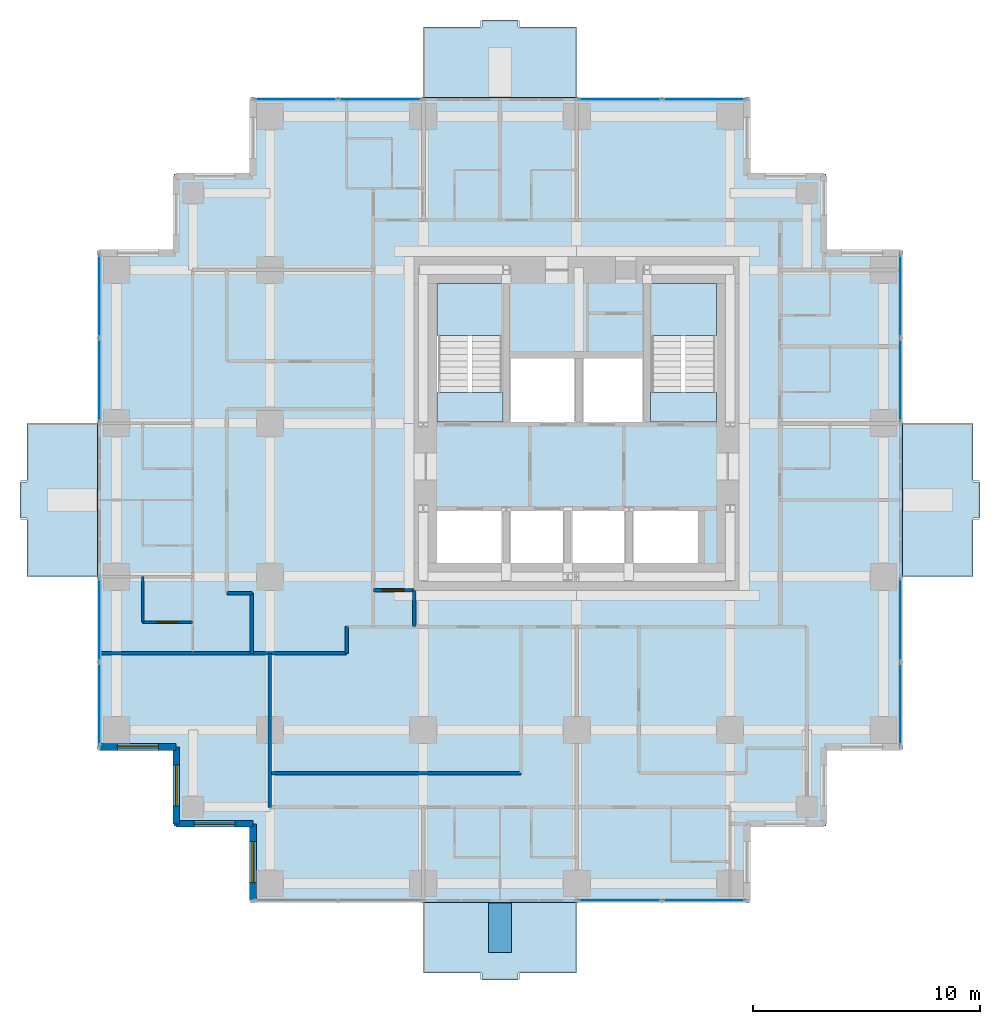
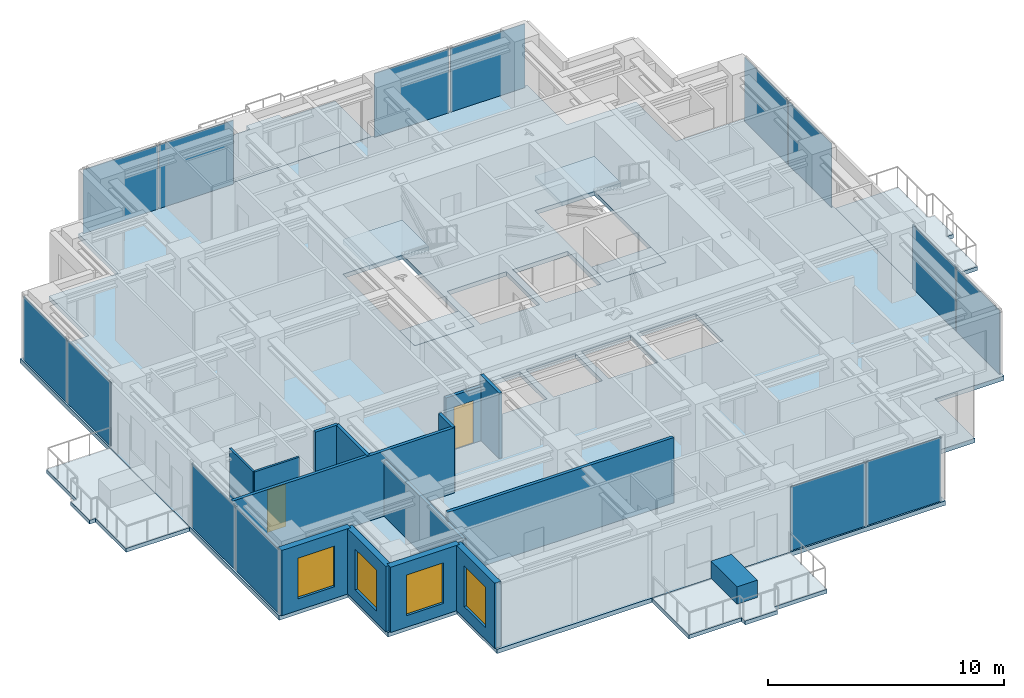
# One storey, part 4 of 10: 15 walls, 14 plates, 9 slabs, 4 windows, 2 doors, 6 openings, 9 elements without a shape of their own.
"""IFC4 building model written with IfcOpenShell, lengths in metres."""

from ifc_helpers import new_model, si_unit, direction, frame, frame_2d, origin, origin_2d, place, context, subcontext, project, spatial, polyline, rectangle, outline, extrude, material, layer, layer_set, type_object, element, fill, aggregate, save


model = new_model("IFC4")

# Units and contexts
model_context = context("Model", 3, precision=1e-05, world=origin(), true_north=direction((0.0, 1.0)))
body_context = subcontext(model_context, "Body", "Model", "MODEL_VIEW")
ifc_project = project(units=[si_unit("LENGTHUNIT", "METRE"), si_unit("AREAUNIT", "SQUARE_METRE"), si_unit("VOLUMEUNIT", "CUBIC_METRE"), si_unit("PLANEANGLEUNIT", "RADIAN"), si_unit("MASSUNIT", "GRAM", prefix="KILO")], contexts=[model_context])

# Site, building, storey
site_placement = place(None, origin())
site = spatial("IfcSite", under=ifc_project, at=site_placement, CompositionType="ELEMENT")
building_placement = place(site_placement, origin())
building = spatial("IfcBuilding", under=site, at=building_placement, Name="Nyansa Garden Tower", CompositionType="ELEMENT")
storey_placement = place(building_placement, frame((0.0, 0.0, 192.60009765625)))
storey = spatial("IfcBuildingStorey", under=building, at=storey_placement, Name="L52", CompositionType="ELEMENT", Elevation=192.60009765625)

# Slabs
ifc_material_1 = material(Name="Concrete C40/50", Category="concrete")
ifc_layer_1 = layer(ifc_material_1, 0.199951171875)
ifc_layer_set_1 = layer_set([ifc_layer_1], Name="Balcony slab BS200")
slab_type_1 = type_object("IfcSlabType", Name="Balcony slab BS200", PredefinedType="FLOOR", material=ifc_layer_set_1)
slab_1_placement = place(storey_placement, frame((0.0, 0.0, -0.239990234375)))
element("IfcSlab", 1, at=slab_1_placement, inside=storey, type_object=slab_type_1, Name="Balcony L52 S", PredefinedType="FLOOR", context=body_context, shape_type="SweptSolid", body=[
    extrude(outline(polyline([(13.5, -0.85009765625), (20.25, -0.85009765625), (20.25, -3.949951171875), (17.675048828125, -3.949951171875), (17.675048828125, -4.25), (16.074951171875, -4.25), (16.074951171875, -3.949951171875), (13.5, -3.949951171875), (13.5, -0.85009765625)])), origin(), (0.0, 0.0, 1.0), 0.199951171875),
])
slab_2_placement = place(storey_placement, frame((0.0, 0.0, -0.239990234375)))
element("IfcSlab", 2, at=slab_2_placement, inside=storey, type_object=slab_type_1, Name="Balcony L52 E", PredefinedType="FLOOR", context=body_context, shape_type="SweptSolid", body=[
    extrude(outline(polyline([(34.60009765625, 13.5), (34.60009765625, 20.25), (37.699951171875, 20.25), (37.699951171875, 17.675048828125), (38.0, 17.675048828125), (38.0, 16.074951171875), (37.699951171875, 16.074951171875), (37.699951171875, 13.5), (34.60009765625, 13.5)])), origin(), (0.0, 0.0, 1.0), 0.199951171875),
])
slab_3_placement = place(storey_placement, frame((0.0, 0.0, -0.239990234375)))
element("IfcSlab", 3, at=slab_3_placement, inside=storey, type_object=slab_type_1, Name="Balcony L52 N", PredefinedType="FLOOR", context=body_context, shape_type="SweptSolid", body=[
    extrude(outline(polyline([(13.5, 34.60009765625), (20.25, 34.60009765625), (20.25, 37.699951171875), (17.675048828125, 37.699951171875), (17.675048828125, 38.0), (16.074951171875, 38.0), (16.074951171875, 37.699951171875), (13.5, 37.699951171875), (13.5, 34.60009765625)])), origin(), (0.0, 0.0, 1.0), 0.199951171875),
])
slab_4_placement = place(storey_placement, frame((0.0, 0.0, -0.239990234375)))
element("IfcSlab", 4, at=slab_4_placement, inside=storey, type_object=slab_type_1, Name="Balcony L52 W", PredefinedType="FLOOR", context=body_context, shape_type="SweptSolid", body=[
    extrude(outline(polyline([(-0.85009765625, 13.5), (-0.85009765625, 20.25), (-3.949951171875, 20.25), (-3.949951171875, 17.675048828125), (-4.25, 17.675048828125), (-4.25, 16.074951171875), (-3.949951171875, 16.074951171875), (-3.949951171875, 13.5), (-0.85009765625, 13.5)])), origin(), (0.0, 0.0, 1.0), 0.199951171875),
])

# Curtain wall, plates
ifc_material_2 = material(Name="Black anodised aluminium, dark tinted double glazing", Category="aluminium")
curtain_wall_type = type_object("IfcCurtainWallType", Name="Inner skin curtain wall ISW-C", PredefinedType="USERDEFINED", material=ifc_material_2)
curtain_wall_1_placement = place(storey_placement, origin())
curtain_wall_1 = element("IfcCurtainWall", 5, at=curtain_wall_1_placement, inside=storey, type_object=curtain_wall_type, Name="Inner skin curtain wall L52 E", ObjectType="UNITISED CURTAIN WALL", PredefinedType="USERDEFINED")
ifc_material_3 = material(Name="Dark tinted laminated double glazing", Category="glass")
ifc_layer_2 = layer(ifc_material_3, 0.0400390625)
ifc_layer_set_2 = layer_set([ifc_layer_2], Name="Dark tinted vision panel VP-C")
plate_type = type_object("IfcPlateType", Name="Dark tinted vision panel VP-C", PredefinedType="CURTAIN_PANEL", material=ifc_layer_set_2)
plate_1_placement = place(storey_placement, frame((34.5, 7.892578125, 0.0), z_axis=(0.0, 0.0, 1.0), x_axis=(0.0, 1.0, 0.0)))
plate_1 = element("IfcPlate", 6, at=plate_1_placement, type_object=plate_type, Name="ISW-C panel 1", PredefinedType="CURTAIN_PANEL", context=body_context, shape_type="SweptSolid", body=[
    extrude(rectangle(XDim=3.64501953125, YDim=0.0400390625, at=origin_2d()), origin(), (0.0, 0.0, 1.0), 3.304931640625),
])
plate_2_placement = place(storey_placement, frame((34.5, 11.607421875, 0.0), z_axis=(0.0, 0.0, 1.0), x_axis=(0.0, 1.0, 0.0)))
plate_2 = element("IfcPlate", 7, at=plate_2_placement, type_object=plate_type, Name="ISW-C panel 2", PredefinedType="CURTAIN_PANEL", context=body_context, shape_type="SweptSolid", body=[
    extrude(rectangle(XDim=3.64501953125, YDim=0.0400390625, at=origin_2d()), origin(), (0.0, 0.0, 1.0), 3.304931640625),
])
aggregate(curtain_wall_1, [plate_1, plate_2])

curtain_wall_2_placement = place(storey_placement, origin())
curtain_wall_2 = element("IfcCurtainWall", 8, at=curtain_wall_2_placement, inside=storey, type_object=curtain_wall_type, Name="Inner skin curtain wall L52 E", ObjectType="UNITISED CURTAIN WALL", PredefinedType="USERDEFINED")
plate_3_placement = place(storey_placement, frame((34.5, 22.142578125, 0.0), z_axis=(0.0, 0.0, 1.0), x_axis=(0.0, 1.0, 0.0)))
plate_3 = element("IfcPlate", 9, at=plate_3_placement, type_object=plate_type, Name="ISW-C panel 1", PredefinedType="CURTAIN_PANEL", context=body_context, shape_type="SweptSolid", body=[
    extrude(rectangle(XDim=3.64501953125, YDim=0.0400390625, at=origin_2d()), origin(), (0.0, 0.0, 1.0), 3.304931640625),
])
plate_4_placement = place(storey_placement, frame((34.5, 25.857421875, 0.0), z_axis=(0.0, 0.0, 1.0), x_axis=(0.0, 1.0, 0.0)))
plate_4 = element("IfcPlate", 10, at=plate_4_placement, type_object=plate_type, Name="ISW-C panel 2", PredefinedType="CURTAIN_PANEL", context=body_context, shape_type="SweptSolid", body=[
    extrude(rectangle(XDim=3.64501953125, YDim=0.0400390625, at=origin_2d()), origin(), (0.0, 0.0, 1.0), 3.304931640625),
])
aggregate(curtain_wall_2, [plate_3, plate_4])

curtain_wall_3_placement = place(storey_placement, origin())
curtain_wall_3 = element("IfcCurtainWall", 11, at=curtain_wall_3_placement, inside=storey, type_object=curtain_wall_type, Name="Inner skin curtain wall L52 N", ObjectType="UNITISED CURTAIN WALL", PredefinedType="USERDEFINED")
plate_5_placement = place(storey_placement, frame((11.607421875, 34.5, 0.0), z_axis=(0.0, 0.0, 1.0), x_axis=(-1.0, 0.0, 0.0)))
plate_5 = element("IfcPlate", 12, at=plate_5_placement, type_object=plate_type, Name="ISW-C panel 1", PredefinedType="CURTAIN_PANEL", context=body_context, shape_type="SweptSolid", body=[
    extrude(rectangle(XDim=3.64501953125, YDim=0.0400390625, at=origin_2d()), origin(), (0.0, 0.0, 1.0), 3.304931640625),
])
plate_6_placement = place(storey_placement, frame((7.892578125, 34.5, 0.0), z_axis=(0.0, 0.0, 1.0), x_axis=(-1.0, 0.0, 0.0)))
plate_6 = element("IfcPlate", 13, at=plate_6_placement, type_object=plate_type, Name="ISW-C panel 2", PredefinedType="CURTAIN_PANEL", context=body_context, shape_type="SweptSolid", body=[
    extrude(rectangle(XDim=3.64501953125, YDim=0.0400390625, at=origin_2d()), origin(), (0.0, 0.0, 1.0), 3.304931640625),
])
aggregate(curtain_wall_3, [plate_5, plate_6])

curtain_wall_4_placement = place(storey_placement, origin())
curtain_wall_4 = element("IfcCurtainWall", 14, at=curtain_wall_4_placement, inside=storey, type_object=curtain_wall_type, Name="Inner skin curtain wall L52 N", ObjectType="UNITISED CURTAIN WALL", PredefinedType="USERDEFINED")
plate_7_placement = place(storey_placement, frame((25.857421875, 34.5, 0.0), z_axis=(0.0, 0.0, 1.0), x_axis=(-1.0, 0.0, 0.0)))
plate_7 = element("IfcPlate", 15, at=plate_7_placement, type_object=plate_type, Name="ISW-C panel 1", PredefinedType="CURTAIN_PANEL", context=body_context, shape_type="SweptSolid", body=[
    extrude(rectangle(XDim=3.64501953125, YDim=0.0400390625, at=origin_2d()), origin(), (0.0, 0.0, 1.0), 3.304931640625),
])
plate_8_placement = place(storey_placement, frame((22.142578125, 34.5, 0.0), z_axis=(0.0, 0.0, 1.0), x_axis=(-1.0, 0.0, 0.0)))
plate_8 = element("IfcPlate", 16, at=plate_8_placement, type_object=plate_type, Name="ISW-C panel 2", PredefinedType="CURTAIN_PANEL", context=body_context, shape_type="SweptSolid", body=[
    extrude(rectangle(XDim=3.64501953125, YDim=0.0400390625, at=origin_2d()), origin(), (0.0, 0.0, 1.0), 3.304931640625),
])
aggregate(curtain_wall_4, [plate_7, plate_8])

curtain_wall_5_placement = place(storey_placement, origin())
curtain_wall_5 = element("IfcCurtainWall", 17, at=curtain_wall_5_placement, inside=storey, type_object=curtain_wall_type, Name="Inner skin curtain wall L52 W", ObjectType="UNITISED CURTAIN WALL", PredefinedType="USERDEFINED")
plate_9_placement = place(storey_placement, frame((-0.75, 11.607421875, 0.0), z_axis=(0.0, 0.0, 1.0), x_axis=(0.0, -1.0, 0.0)))
plate_9 = element("IfcPlate", 18, at=plate_9_placement, type_object=plate_type, Name="ISW-C panel 1", PredefinedType="CURTAIN_PANEL", context=body_context, shape_type="SweptSolid", body=[
    extrude(rectangle(XDim=3.64501953125, YDim=0.0400390625, at=origin_2d()), origin(), (0.0, 0.0, 1.0), 3.304931640625),
])
plate_10_placement = place(storey_placement, frame((-0.75, 7.892578125, 0.0), z_axis=(0.0, 0.0, 1.0), x_axis=(0.0, -1.0, 0.0)))
plate_10 = element("IfcPlate", 19, at=plate_10_placement, type_object=plate_type, Name="ISW-C panel 2", PredefinedType="CURTAIN_PANEL", context=body_context, shape_type="SweptSolid", body=[
    extrude(rectangle(XDim=3.64501953125, YDim=0.0400390625, at=origin_2d()), origin(), (0.0, 0.0, 1.0), 3.304931640625),
])
aggregate(curtain_wall_5, [plate_9, plate_10])

curtain_wall_6_placement = place(storey_placement, origin())
curtain_wall_6 = element("IfcCurtainWall", 20, at=curtain_wall_6_placement, inside=storey, type_object=curtain_wall_type, Name="Inner skin curtain wall L52 W", ObjectType="UNITISED CURTAIN WALL", PredefinedType="USERDEFINED")
plate_11_placement = place(storey_placement, frame((-0.75, 25.857421875, 0.0), z_axis=(0.0, 0.0, 1.0), x_axis=(0.0, -1.0, 0.0)))
plate_11 = element("IfcPlate", 21, at=plate_11_placement, type_object=plate_type, Name="ISW-C panel 1", PredefinedType="CURTAIN_PANEL", context=body_context, shape_type="SweptSolid", body=[
    extrude(rectangle(XDim=3.64501953125, YDim=0.0400390625, at=origin_2d()), origin(), (0.0, 0.0, 1.0), 3.304931640625),
])
plate_12_placement = place(storey_placement, frame((-0.75, 22.142578125, 0.0), z_axis=(0.0, 0.0, 1.0), x_axis=(0.0, -1.0, 0.0)))
plate_12 = element("IfcPlate", 22, at=plate_12_placement, type_object=plate_type, Name="ISW-C panel 2", PredefinedType="CURTAIN_PANEL", context=body_context, shape_type="SweptSolid", body=[
    extrude(rectangle(XDim=3.64501953125, YDim=0.0400390625, at=origin_2d()), origin(), (0.0, 0.0, 1.0), 3.304931640625),
])
aggregate(curtain_wall_6, [plate_11, plate_12])

curtain_wall_7_placement = place(storey_placement, origin())
curtain_wall_7 = element("IfcCurtainWall", 23, at=curtain_wall_7_placement, inside=storey, type_object=curtain_wall_type, Name="Inner skin curtain wall L52 S", ObjectType="UNITISED CURTAIN WALL", PredefinedType="USERDEFINED")
plate_13_placement = place(storey_placement, frame((22.142578125, -0.75, 0.0), z_axis=(0.0, 0.0, 1.0), x_axis=(1.0, 0.0, 0.0)))
plate_13 = element("IfcPlate", 24, at=plate_13_placement, type_object=plate_type, Name="ISW-C panel 1", PredefinedType="CURTAIN_PANEL", context=body_context, shape_type="SweptSolid", body=[
    extrude(rectangle(XDim=3.64501953125, YDim=0.0400390625, at=origin_2d()), origin(), (0.0, 0.0, 1.0), 3.304931640625),
])
plate_14_placement = place(storey_placement, frame((25.857421875, -0.75, 0.0), z_axis=(0.0, 0.0, 1.0), x_axis=(1.0, 0.0, 0.0)))
plate_14 = element("IfcPlate", 25, at=plate_14_placement, type_object=plate_type, Name="ISW-C panel 2", PredefinedType="CURTAIN_PANEL", context=body_context, shape_type="SweptSolid", body=[
    extrude(rectangle(XDim=3.64501953125, YDim=0.0400390625, at=origin_2d()), origin(), (0.0, 0.0, 1.0), 3.304931640625),
])
aggregate(curtain_wall_7, [plate_13, plate_14])

# Slab
ifc_material_4 = material(Name="Concrete C40/50", Category="concrete")
ifc_layer_3 = layer(ifc_material_4, 0.22509765625)
ifc_layer_set_3 = layer_set([ifc_layer_3], Name="Floor slab FS225")
slab_type_2 = type_object("IfcSlabType", Name="Floor slab FS225", PredefinedType="FLOOR", material=ifc_layer_set_3)
slab_5_placement = place(storey_placement, frame((0.0, 0.0, -0.22509765625)))
element("IfcSlab", 26, at=slab_5_placement, inside=storey, type_object=slab_type_2, Name="Floor slab L52", PredefinedType="FLOOR", context=body_context, shape_type="SweptSolid", body=[
    extrude(outline(polyline([(34.60009765625, 5.89990234375), (31.22509765625, 5.89990234375), (31.22509765625, 2.52490234375), (27.85009765625, 2.52490234375), (27.85009765625, -0.85009765625), (5.89990234375, -0.85009765625), (5.89990234375, 2.52490234375), (2.52490234375, 2.52490234375), (2.52490234375, 5.89990234375), (-0.85009765625, 5.89990234375), (-0.85009765625, 27.85009765625), (2.52490234375, 27.85009765625), (2.52490234375, 31.22509765625), (5.89990234375, 31.22509765625), (5.89990234375, 34.60009765625), (27.85009765625, 34.60009765625), (27.85009765625, 31.22509765625), (31.22509765625, 31.22509765625), (31.22509765625, 27.85009765625), (34.60009765625, 27.85009765625), (34.60009765625, 5.89990234375)]), holes=[polyline([(14.10009765625, 14.10009765625), (17.0, 14.10009765625), (17.0, 16.39990234375), (14.10009765625, 16.39990234375), (14.10009765625, 14.10009765625)]), polyline([(17.300048828125, 14.10009765625), (19.699951171875, 14.10009765625), (19.699951171875, 16.39990234375), (17.300048828125, 16.39990234375), (17.300048828125, 14.10009765625)]), polyline([(20.0, 14.10009765625), (22.39990234375, 14.10009765625), (22.39990234375, 16.39990234375), (20.0, 16.39990234375), (20.0, 14.10009765625)]), polyline([(22.699951171875, 14.10009765625), (25.60009765625, 14.10009765625), (25.60009765625, 16.39990234375), (22.699951171875, 16.39990234375), (22.699951171875, 14.10009765625)]), polyline([(17.300048828125, 20.300048828125), (20.199951171875, 20.300048828125), (20.199951171875, 23.10009765625), (17.300048828125, 23.10009765625), (17.300048828125, 20.300048828125)]), polyline([(20.5, 20.300048828125), (23.199951171875, 20.300048828125), (23.199951171875, 23.10009765625), (20.5, 23.10009765625), (20.5, 20.300048828125)]), polyline([(14.10009765625, 20.300048828125), (17.0, 20.300048828125), (17.0, 26.39990234375), (14.10009765625, 26.39990234375), (14.10009765625, 20.300048828125)]), polyline([(23.5, 20.300048828125), (26.39990234375, 20.300048828125), (26.39990234375, 26.39990234375), (23.5, 26.39990234375), (23.5, 20.300048828125)])]), origin(), (0.0, 0.0, 1.0), 0.22509765625),
])

# Stair, slabs
ifc_material_5 = material(Name="Precast concrete C40/50", Category="concrete")
stair_type_1 = type_object("IfcStairType", Name="Stair S1 180x280", PredefinedType="HALF_TURN_STAIR", material=ifc_material_5)
stair_1_placement = place(storey_placement, origin())
stair_1 = element("IfcStair", 27, at=stair_1_placement, inside=storey, type_object=stair_type_1, Name="Stair S1 L52", PredefinedType="HALF_TURN_STAIR")
ifc_material_6 = material(Name="Concrete C40/50", Category="concrete")
ifc_layer_4 = layer(ifc_material_6, 0.199951171875)
ifc_layer_set_4 = layer_set([ifc_layer_4], Name="Stair landing SL200")
slab_type_3 = type_object("IfcSlabType", Name="Stair landing SL200", PredefinedType="LANDING", material=ifc_layer_set_4)
slab_6_placement = place(storey_placement, frame((0.0, 0.0, -0.2001953125)))
slab_6 = element("IfcSlab", 28, at=slab_6_placement, type_object=slab_type_3, Name="S1 landing 1", PredefinedType="LANDING", context=body_context, shape_type="SweptSolid", body=[
    extrude(outline(polyline([(14.10009765625, 20.300048828125), (17.0, 20.300048828125), (17.0, 21.60009765625), (14.10009765625, 21.60009765625), (14.10009765625, 20.300048828125)])), origin(), (0.0, 0.0, 1.0), 0.2001953125),
])
slab_7_placement = place(storey_placement, frame((0.0, 0.0, 1.599853515625)))
slab_7 = element("IfcSlab", 29, at=slab_7_placement, type_object=slab_type_3, Name="S1 landing 2", PredefinedType="LANDING", context=body_context, shape_type="SweptSolid", body=[
    extrude(outline(polyline([(14.10009765625, 24.1201171875), (17.0, 24.1201171875), (17.0, 26.39990234375), (14.10009765625, 26.39990234375), (14.10009765625, 24.1201171875)])), origin(), (0.0, 0.0, 1.0), 0.199951171875),
])
aggregate(stair_1, [slab_6, slab_7])

ifc_material_7 = material(Name="Precast concrete C40/50", Category="concrete")
stair_type_2 = type_object("IfcStairType", Name="Stair S2 180x280", PredefinedType="HALF_TURN_STAIR", material=ifc_material_7)
stair_2_placement = place(storey_placement, origin())
stair_2 = element("IfcStair", 30, at=stair_2_placement, inside=storey, type_object=stair_type_2, Name="Stair S2 L52", PredefinedType="HALF_TURN_STAIR")
slab_8_placement = place(storey_placement, frame((0.0, 0.0, -0.2001953125)))
slab_8 = element("IfcSlab", 31, at=slab_8_placement, type_object=slab_type_3, Name="S2 landing 1", PredefinedType="LANDING", context=body_context, shape_type="SweptSolid", body=[
    extrude(outline(polyline([(23.5, 20.300048828125), (26.39990234375, 20.300048828125), (26.39990234375, 21.60009765625), (23.5, 21.60009765625), (23.5, 20.300048828125)])), origin(), (0.0, 0.0, 1.0), 0.2001953125),
])
slab_9_placement = place(storey_placement, frame((0.0, 0.0, 1.599853515625)))
slab_9 = element("IfcSlab", 32, at=slab_9_placement, type_object=slab_type_3, Name="S2 landing 2", PredefinedType="LANDING", context=body_context, shape_type="SweptSolid", body=[
    extrude(outline(polyline([(23.5, 24.1201171875), (26.39990234375, 24.1201171875), (26.39990234375, 26.39990234375), (23.5, 26.39990234375), (23.5, 24.1201171875)])), origin(), (0.0, 0.0, 1.0), 0.199951171875),
])
aggregate(stair_2, [slab_8, slab_9])

# Walls
ifc_material_8 = material(Name="Blockwork, plastered both sides", Category="masonry")
ifc_layer_5 = layer(ifc_material_8, 0.14990234375)
ifc_layer_set_5 = layer_set([ifc_layer_5], Name="Partition PW150")
wall_type_1 = type_object("IfcWallType", Name="Partition PW150", PredefinedType="PARTITIONING", material=ifc_layer_set_5)
wall_1_placement = place(storey_placement, frame((-0.73388671875, 10.125, 0.0), z_axis=(0.0, 0.0, 1.0), x_axis=(1.0, 0.0, 0.0)))
element("IfcWall", 33, at=wall_1_placement, inside=storey, type_object=wall_type_1, Name="Partition", PredefinedType="PARTITIONING", context=body_context, shape_type="SweptSolid", body=[
    extrude(rectangle(XDim=10.85888671875, YDim=0.14990234375, at=frame_2d((5.429443359375, 0.0))), origin(), (0.0, 0.0, 1.0), 3.375),
])
wall_2_placement = place(storey_placement, frame((4.85009765625, 12.77490234375, 0.0), z_axis=(0.0, 0.0, 1.0), x_axis=(1.0, 0.0, 0.0)))
element("IfcWall", 34, at=wall_2_placement, inside=storey, type_object=wall_type_1, Name="Partition", PredefinedType="PARTITIONING", context=body_context, shape_type="SweptSolid", body=[
    extrude(rectangle(XDim=1.099853515625, YDim=0.14990234375, at=frame_2d((0.5498046875, 0.0))), origin(), (0.0, 0.0, 1.0), 3.375),
])
wall_3_placement = place(storey_placement, frame((5.949951171875, 10.125, 0.0), z_axis=(0.0, 0.0, 1.0), x_axis=(0.0, 1.0, 0.0)))
element("IfcWall", 35, at=wall_3_placement, inside=storey, type_object=wall_type_1, Name="Partition", PredefinedType="PARTITIONING", context=body_context, shape_type="SweptSolid", body=[
    extrude(rectangle(XDim=2.64990234375, YDim=0.14990234375, at=frame_2d((1.324951171875, 0.0))), origin(), (0.0, 0.0, 1.0), 3.375),
])
wall_4_placement = place(storey_placement, frame((6.75, 3.35009765625, 0.0), z_axis=(0.0, 0.0, 1.0), x_axis=(0.0, 1.0, 0.0)))
element("IfcWall", 36, at=wall_4_placement, inside=storey, type_object=wall_type_1, Name="Partition", PredefinedType="PARTITIONING", context=body_context, shape_type="SweptSolid", body=[
    extrude(rectangle(XDim=6.77490234375, YDim=0.14990234375, at=frame_2d((3.387451171875, 0.0))), origin(), (0.0, 0.0, 1.0), 2.876953125),
])
wall_5_placement = place(storey_placement, frame((6.75, 4.85009765625, 0.0), z_axis=(0.0, 0.0, 1.0), x_axis=(1.0, 0.0, 0.0)))
element("IfcWall", 37, at=wall_5_placement, inside=storey, type_object=wall_type_1, Name="Partition", PredefinedType="PARTITIONING", context=body_context, shape_type="SweptSolid", body=[
    extrude(rectangle(XDim=11.050048828125, YDim=0.14990234375, at=frame_2d((5.52490234375, 0.0))), origin(), (0.0, 0.0, 1.0), 3.375),
])
wall_6_placement = place(storey_placement, frame((10.125, 10.125, 0.0), z_axis=(0.0, 0.0, 1.0), x_axis=(0.0, 1.0, 0.0)))
element("IfcWall", 38, at=wall_6_placement, inside=storey, type_object=wall_type_1, Name="Partition", PredefinedType="PARTITIONING", context=body_context, shape_type="SweptSolid", body=[
    extrude(rectangle(XDim=1.175048828125, YDim=0.14990234375, at=frame_2d((0.58740234375, 0.0))), origin(), (0.0, 0.0, 1.0), 3.375),
])

# Wall, opening, door
wall_7_placement = place(storey_placement, frame((11.300048828125, 12.89990234375, 0.0), z_axis=(0.0, 0.0, 1.0), x_axis=(1.0, 0.0, 0.0)))
wall_7 = element("IfcWall", 39, at=wall_7_placement, inside=storey, type_object=wall_type_1, Name="Partition", PredefinedType="PARTITIONING", context=body_context, shape_type="SweptSolid", body=[
    extrude(rectangle(XDim=1.800048828125, YDim=0.14990234375, at=frame_2d((0.89990234375, 0.0))), origin(), (0.0, 0.0, 1.0), 2.805908203125),
])
opening_1_placement = place(wall_7_placement, frame((0.39990234375, 0.0, 0.0)))
opening_1 = element("IfcOpeningElement", 40, at=opening_1_placement, cuts=wall_7, Name="Opening D01", PredefinedType="OPENING", context=body_context, shape_type="SweptSolid", body=[
    extrude(rectangle(XDim=0.949951171875, YDim=2.199951171875, at=frame_2d((0.47509765625, 1.10009765625))), frame((0.0, 0.0849609375, 0.0), z_axis=(0.0, -1.0, 0.0), x_axis=(1.0, 0.0, 0.0)), (0.0, 0.0, 1.0), 0.169921875),
])
ifc_material_9 = material(Name="Timber flush door, 30 minute fire resisting", Category="wood")
door_type_1 = type_object("IfcDoorType", Name="Bedroom door D01 950x2200", OperationType="SINGLE_SWING_LEFT", PredefinedType="DOOR", material=ifc_material_9)
door_1_placement = place(opening_1_placement, origin())
door_1 = element("IfcDoor", 41, at=door_1_placement, inside=storey, type_object=door_type_1, Name="Door L52-017", OperationType="SINGLE_SWING_LEFT", OverallHeight=2.199951171875, OverallWidth=0.949951171875, PredefinedType="DOOR", context=body_context, shape_type="SweptSolid", body=[
    extrude(rectangle(XDim=0.949951171875, YDim=2.199951171875, at=frame_2d((0.47509765625, 1.10009765625))), frame((0.0, 0.02490234375, 0.0), z_axis=(0.0, -1.0, 0.0), x_axis=(1.0, 0.0, 0.0)), (0.0, 0.0, 1.0), 0.050048828125),
])
fill(opening_1, door_1)

# Wall
wall_8_placement = place(storey_placement, frame((13.10009765625, 11.300048828125, 0.0), z_axis=(0.0, 0.0, 1.0), x_axis=(0.0, 1.0, 0.0)))
element("IfcWall", 42, at=wall_8_placement, inside=storey, type_object=wall_type_1, Name="Partition", PredefinedType="PARTITIONING", context=body_context, shape_type="SweptSolid", body=[
    extrude(rectangle(XDim=1.599853515625, YDim=0.14990234375, at=frame_2d((0.7998046875, 0.0))), origin(), (0.0, 0.0, 1.0), 3.375),
])

# Wall, opening, window
ifc_material_10 = material(Name="Turquoise glazed tile on concrete blockwork", Category="masonry")
ifc_layer_6 = layer(ifc_material_10, 0.300048828125)
ifc_layer_set_6 = layer_set([ifc_layer_6], Name="Tiled corner wall TW300")
wall_type_2 = type_object("IfcWallType", Name="Tiled corner wall TW300", PredefinedType="SOLIDWALL", material=ifc_layer_set_6)
wall_9_placement = place(storey_placement, frame((-0.75, 6.0, 0.0), z_axis=(0.0, 0.0, 1.0), x_axis=(1.0, 0.0, 0.0)))
wall_9 = element("IfcWall", 43, at=wall_9_placement, inside=storey, type_object=wall_type_2, Name="Tiled corner wall L52", PredefinedType="SOLIDWALL", context=body_context, shape_type="SweptSolid", body=[
    extrude(rectangle(XDim=3.375, YDim=0.300048828125, at=frame_2d((1.6875, 0.0))), origin(), (0.0, 0.0, 1.0), 3.375),
])
opening_2_placement = place(wall_9_placement, frame((0.78759765625, 0.0, 0.60009765625)))
opening_2 = element("IfcOpeningElement", 44, at=opening_2_placement, cuts=wall_9, Name="Opening W2", PredefinedType="OPENING", context=body_context, shape_type="SweptSolid", body=[
    extrude(rectangle(XDim=1.800048828125, YDim=2.10009765625, at=frame_2d((0.89990234375, 1.050048828125))), frame((0.0, 0.159912109375, 0.0), z_axis=(0.0, -1.0, 0.0), x_axis=(1.0, 0.0, 0.0)), (0.0, 0.0, 1.0), 0.320068359375),
])
ifc_material_11 = material(Name="Black aluminium frame, dark tinted double glazing", Category="aluminium")
window_type = type_object("IfcWindowType", Name="Window W2 1800x2100", PartitioningType="SINGLE_PANEL", PredefinedType="WINDOW", material=ifc_material_11)
window_1_placement = place(opening_2_placement, origin())
window_1 = element("IfcWindow", 45, at=window_1_placement, inside=storey, type_object=window_type, Name="Corner window L52", OverallHeight=2.10009765625, OverallWidth=1.800048828125, PartitioningType="SINGLE_PANEL", PredefinedType="WINDOW", context=body_context, shape_type="SweptSolid", body=[
    extrude(rectangle(XDim=1.800048828125, YDim=2.10009765625, at=frame_2d((0.89990234375, 1.050048828125))), frame((0.0, 0.030029296875, 0.0), z_axis=(0.0, -1.0, 0.0), x_axis=(1.0, 0.0, 0.0)), (0.0, 0.0, 1.0), 0.06005859375),
])
fill(opening_2, window_1)

wall_10_placement = place(storey_placement, frame((2.625, 6.0, 0.0), z_axis=(0.0, 0.0, 1.0), x_axis=(0.0, -1.0, 0.0)))
wall_10 = element("IfcWall", 46, at=wall_10_placement, inside=storey, type_object=wall_type_2, Name="Tiled corner wall L52", PredefinedType="SOLIDWALL", context=body_context, shape_type="SweptSolid", body=[
    extrude(rectangle(XDim=3.375, YDim=0.300048828125, at=frame_2d((1.6875, 0.0))), origin(), (0.0, 0.0, 1.0), 3.375),
])
opening_3_placement = place(wall_10_placement, frame((0.78759765625, 0.0, 0.60009765625)))
opening_3 = element("IfcOpeningElement", 47, at=opening_3_placement, cuts=wall_10, Name="Opening W2", PredefinedType="OPENING", context=body_context, shape_type="SweptSolid", body=[
    extrude(rectangle(XDim=1.800048828125, YDim=2.10009765625, at=frame_2d((0.89990234375, 1.050048828125))), frame((0.0, 0.159912109375, 0.0), z_axis=(0.0, -1.0, 0.0), x_axis=(1.0, 0.0, 0.0)), (0.0, 0.0, 1.0), 0.320068359375),
])
window_2_placement = place(opening_3_placement, origin())
window_2 = element("IfcWindow", 48, at=window_2_placement, inside=storey, type_object=window_type, Name="Corner window L52", OverallHeight=2.10009765625, OverallWidth=1.800048828125, PartitioningType="SINGLE_PANEL", PredefinedType="WINDOW", context=body_context, shape_type="SweptSolid", body=[
    extrude(rectangle(XDim=1.800048828125, YDim=2.10009765625, at=frame_2d((0.89990234375, 1.050048828125))), frame((0.0, 0.030029296875, 0.0), z_axis=(0.0, -1.0, 0.0), x_axis=(1.0, 0.0, 0.0)), (0.0, 0.0, 1.0), 0.06005859375),
])
fill(opening_3, window_2)

wall_11_placement = place(storey_placement, frame((2.625, 2.625, 0.0), z_axis=(0.0, 0.0, 1.0), x_axis=(1.0, 0.0, 0.0)))
wall_11 = element("IfcWall", 49, at=wall_11_placement, inside=storey, type_object=wall_type_2, Name="Tiled corner wall L52", PredefinedType="SOLIDWALL", context=body_context, shape_type="SweptSolid", body=[
    extrude(rectangle(XDim=3.375, YDim=0.300048828125, at=frame_2d((1.6875, 0.0))), origin(), (0.0, 0.0, 1.0), 3.375),
])
opening_4_placement = place(wall_11_placement, frame((0.78759765625, 0.0, 0.60009765625)))
opening_4 = element("IfcOpeningElement", 50, at=opening_4_placement, cuts=wall_11, Name="Opening W2", PredefinedType="OPENING", context=body_context, shape_type="SweptSolid", body=[
    extrude(rectangle(XDim=1.800048828125, YDim=2.10009765625, at=frame_2d((0.89990234375, 1.050048828125))), frame((0.0, 0.159912109375, 0.0), z_axis=(0.0, -1.0, 0.0), x_axis=(1.0, 0.0, 0.0)), (0.0, 0.0, 1.0), 0.320068359375),
])
window_3_placement = place(opening_4_placement, origin())
window_3 = element("IfcWindow", 51, at=window_3_placement, inside=storey, type_object=window_type, Name="Corner window L52", OverallHeight=2.10009765625, OverallWidth=1.800048828125, PartitioningType="SINGLE_PANEL", PredefinedType="WINDOW", context=body_context, shape_type="SweptSolid", body=[
    extrude(rectangle(XDim=1.800048828125, YDim=2.10009765625, at=frame_2d((0.89990234375, 1.050048828125))), frame((0.0, 0.030029296875, 0.0), z_axis=(0.0, -1.0, 0.0), x_axis=(1.0, 0.0, 0.0)), (0.0, 0.0, 1.0), 0.06005859375),
])
fill(opening_4, window_3)

wall_12_placement = place(storey_placement, frame((6.0, 2.625, 0.0), z_axis=(0.0, 0.0, 1.0), x_axis=(0.0, -1.0, 0.0)))
wall_12 = element("IfcWall", 52, at=wall_12_placement, inside=storey, type_object=wall_type_2, Name="Tiled corner wall L52", PredefinedType="SOLIDWALL", context=body_context, shape_type="SweptSolid", body=[
    extrude(rectangle(XDim=3.375, YDim=0.300048828125, at=frame_2d((1.6875, 0.0))), origin(), (0.0, 0.0, 1.0), 3.375),
])
opening_5_placement = place(wall_12_placement, frame((0.78759765625, 0.0, 0.60009765625)))
opening_5 = element("IfcOpeningElement", 53, at=opening_5_placement, cuts=wall_12, Name="Opening W2", PredefinedType="OPENING", context=body_context, shape_type="SweptSolid", body=[
    extrude(rectangle(XDim=1.800048828125, YDim=2.10009765625, at=frame_2d((0.89990234375, 1.050048828125))), frame((0.0, 0.159912109375, 0.0), z_axis=(0.0, -1.0, 0.0), x_axis=(1.0, 0.0, 0.0)), (0.0, 0.0, 1.0), 0.320068359375),
])
window_4_placement = place(opening_5_placement, origin())
window_4 = element("IfcWindow", 54, at=window_4_placement, inside=storey, type_object=window_type, Name="Corner window L52", OverallHeight=2.10009765625, OverallWidth=1.800048828125, PartitioningType="SINGLE_PANEL", PredefinedType="WINDOW", context=body_context, shape_type="SweptSolid", body=[
    extrude(rectangle(XDim=1.800048828125, YDim=2.10009765625, at=frame_2d((0.89990234375, 1.050048828125))), frame((0.0, 0.030029296875, 0.0), z_axis=(0.0, -1.0, 0.0), x_axis=(1.0, 0.0, 0.0)), (0.0, 0.0, 1.0), 0.06005859375),
])
fill(opening_5, window_4)

# Walls
ifc_material_12 = material(Name="Concrete C40/50 planter, waterproofed", Category="concrete")
ifc_layer_7 = layer(ifc_material_12, 1.0)
ifc_layer_set_7 = layer_set([ifc_layer_7], Name="Tree planter TP1")
wall_type_3 = type_object("IfcWallType", Name="Tree planter TP1", PredefinedType="USERDEFINED", material=ifc_layer_set_7)
wall_13_placement = place(storey_placement, frame((16.875, -0.85009765625, 0.0), z_axis=(0.0, 0.0, 1.0), x_axis=(0.0, -1.0, 0.0)))
element("IfcWall", 55, at=wall_13_placement, inside=storey, type_object=wall_type_3, Name="Tree planter L52", ObjectType="TREE PLANTER", PredefinedType="USERDEFINED", context=body_context, shape_type="SweptSolid", body=[
    extrude(rectangle(XDim=2.199951171875, YDim=1.0, at=frame_2d((1.10009765625, 0.0))), origin(), (0.0, 0.0, 1.0), 0.89990234375),
])
ifc_material_13 = material(Name="Moisture resistant board on steel studs, tiled", Category="steel")
ifc_layer_8 = layer(ifc_material_13, 0.10009765625)
ifc_layer_set_8 = layer_set([ifc_layer_8], Name="Wet wall PW100")
wall_type_4 = type_object("IfcWallType", Name="Wet wall PW100", PredefinedType="PARTITIONING", material=ifc_layer_set_8)
wall_14_placement = place(storey_placement, frame((1.14990234375, 11.5, 0.0), z_axis=(0.0, 0.0, 1.0), x_axis=(0.0, 1.0, 0.0)))
element("IfcWall", 56, at=wall_14_placement, inside=storey, type_object=wall_type_4, Name="Wet wall", PredefinedType="PARTITIONING", context=body_context, shape_type="SweptSolid", body=[
    extrude(rectangle(XDim=2.0, YDim=0.10009765625, at=frame_2d((1.0, 0.0))), origin(), (0.0, 0.0, 1.0), 3.375),
])

# Wall, opening, door
wall_15_placement = place(storey_placement, frame((1.14990234375, 11.5, 0.0), z_axis=(0.0, 0.0, 1.0), x_axis=(1.0, 0.0, 0.0)))
wall_15 = element("IfcWall", 57, at=wall_15_placement, inside=storey, type_object=wall_type_4, Name="Wet wall", PredefinedType="PARTITIONING", context=body_context, shape_type="SweptSolid", body=[
    extrude(rectangle(XDim=2.2001953125, YDim=0.10009765625, at=frame_2d((1.10009765625, 0.0))), origin(), (0.0, 0.0, 1.0), 3.375),
])
opening_6_placement = place(wall_15_placement, frame((0.64990234375, 0.0, 0.0)))
opening_6 = element("IfcOpeningElement", 58, at=opening_6_placement, cuts=wall_15, Name="Opening D02", PredefinedType="OPENING", context=body_context, shape_type="SweptSolid", body=[
    extrude(rectangle(XDim=0.89990234375, YDim=2.199951171875, at=frame_2d((0.449951171875, 1.10009765625))), frame((0.0, 0.06005859375, 0.0), z_axis=(0.0, -1.0, 0.0), x_axis=(1.0, 0.0, 0.0)), (0.0, 0.0, 1.0), 0.1201171875),
])
ifc_material_14 = material(Name="Timber flush door", Category="wood")
door_type_2 = type_object("IfcDoorType", Name="En-suite door D02 900x2200", OperationType="SINGLE_SWING_RIGHT", PredefinedType="DOOR", material=ifc_material_14)
door_2_placement = place(opening_6_placement, origin())
door_2 = element("IfcDoor", 59, at=door_2_placement, inside=storey, type_object=door_type_2, Name="Door L52-047", OperationType="SINGLE_SWING_RIGHT", OverallHeight=2.199951171875, OverallWidth=0.89990234375, PredefinedType="DOOR", context=body_context, shape_type="SweptSolid", body=[
    extrude(rectangle(XDim=0.89990234375, YDim=2.199951171875, at=frame_2d((0.449951171875, 1.10009765625))), frame((0.0, 0.02490234375, 0.0), z_axis=(0.0, -1.0, 0.0), x_axis=(1.0, 0.0, 0.0)), (0.0, 0.0, 1.0), 0.050048828125),
])
fill(opening_6, door_2)

save(model, "model.ifc")
